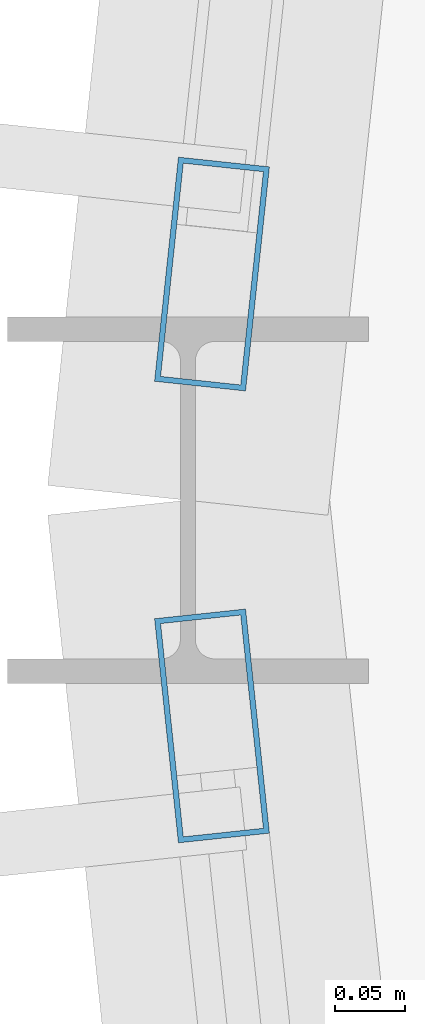
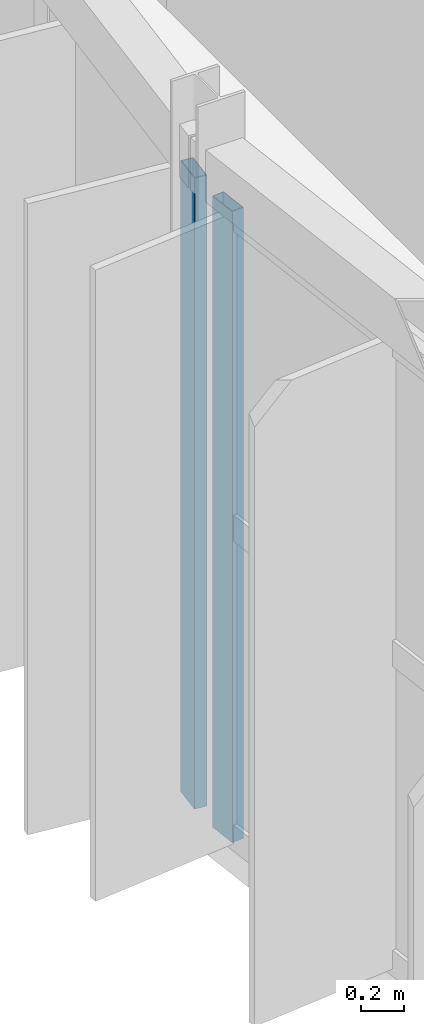
# One storey, part 35 of 130: 2 members, 2 elements without a shape of their own.
"""IFC4 building model written with IfcOpenShell, lengths in metres."""

import ifcopenshell
import ifcopenshell.guid

model = None  # the IFC model being written
_history = None  # IfcOwnerHistory: only IFC2X3 demands one
_inside = {}  # id of a spatial element -> (the spatial element, [elements in it])
_under = {}  # id of a project, library or spatial element -> (it, [spatial elements below it])
_declared = {}  # id of a project -> (the project, [libraries it declares])
_typed = {}  # id of a type object -> (the type object, [elements of that type])
_made_of = {}  # id of a material, layer set ... -> (it, [elements and type objects made of it])


def new_model(schema):
    """Start an empty IFC model of exactly this schema.

    Asked for "IFC4X3", IfcOpenShell would pick the latest addendum, in which some entities
    have other attributes; the version numbers below select the first issue.
    IFC2X3 requires an IfcOwnerHistory on every rooted entity: one is made here for all.
    """
    global model, _history
    if schema == "IFC4X3":
        model = ifcopenshell.file(schema_version=(4, 3, 0, 0))
    else:
        model = ifcopenshell.file(schema=schema)
    _inside.clear()
    _under.clear()
    _declared.clear()
    _typed.clear()
    _made_of.clear()
    _history = None
    if model.schema == "IFC2X3":
        org = make("IfcOrganization", Name="unknown")
        user = make(
            "IfcPersonAndOrganization",
            ThePerson=make("IfcPerson", FamilyName="unknown"),
            TheOrganization=org,
        )
        app = make(
            "IfcApplication",
            ApplicationDeveloper=org,
            Version="unknown",
            ApplicationFullName="unknown",
            ApplicationIdentifier="unknown",
        )
        _history = make(
            "IfcOwnerHistory",
            OwningUser=user,
            OwningApplication=app,
            ChangeAction="ADDED",
            CreationDate=0,
        )
    return model


def make(cls, **values):
    """One entity of the class cls with the attributes given. An attribute that is None is left unset."""
    return model.create_entity(
        cls, **{name: value for name, value in values.items() if value is not None}
    )


def rooted(cls, **values):
    """An entity with a GlobalId (a new one), such as an element, a storey or a relation."""
    return make(cls, GlobalId=ifcopenshell.guid.new(), OwnerHistory=_history, **values)


def si_unit(unit_type, name, prefix=None):
    """IfcSIUnit, for example si_unit("LENGTHUNIT", "METRE", prefix="MILLI")."""
    return make("IfcSIUnit", UnitType=unit_type, Prefix=prefix, Name=name)


def assignment(units):
    """IfcUnitAssignment: the units of a project."""
    return None if units is None else make("IfcUnitAssignment", Units=units)


def point(xyz):
    """IfcCartesianPoint."""
    return None if xyz is None else make("IfcCartesianPoint", Coordinates=xyz)


def direction(xyz):
    """IfcDirection."""
    return None if xyz is None else make("IfcDirection", DirectionRatios=xyz)


def frame(location, z_axis=None, x_axis=None):
    """IfcAxis2Placement3D, a coordinate frame: its origin and axes. An axis left out is left unset."""
    return make(
        "IfcAxis2Placement3D",
        Location=point(location),
        Axis=direction(z_axis),
        RefDirection=direction(x_axis),
    )


def frame_2d(location, x_axis=None):
    """IfcAxis2Placement2D, a coordinate frame in the plane: its origin and x axis."""
    return make(
        "IfcAxis2Placement2D", Location=point(location), RefDirection=direction(x_axis)
    )


def origin():
    """The frame at (0, 0, 0) with its axes left unset."""
    return frame((0.0, 0.0, 0.0))


def origin_2d():
    """The frame at (0, 0) in the plane with its x axis left unset."""
    return frame_2d((0.0, 0.0))


def place(relative_to, where):
    """IfcLocalPlacement: puts the frame where relative to a parent placement (None: the world)."""
    return make(
        "IfcLocalPlacement", PlacementRelTo=relative_to, RelativePlacement=where
    )


def context(
    kind, dimensions, precision=None, world=None, true_north=None, identifier=None
):
    """IfcGeometricRepresentationContext, for example the 3D "Model" context."""
    return make(
        "IfcGeometricRepresentationContext",
        ContextIdentifier=identifier,
        ContextType=kind,
        CoordinateSpaceDimension=dimensions,
        Precision=precision,
        WorldCoordinateSystem=world,
        TrueNorth=true_north,
    )


def subcontext(parent, identifier, kind, view, scale=None):
    """IfcGeometricRepresentationSubContext, for example "Body" below "Model"."""
    return make(
        "IfcGeometricRepresentationSubContext",
        ContextIdentifier=identifier,
        ContextType=kind,
        ParentContext=parent,
        TargetScale=scale,
        TargetView=view,
    )


def project(units=None, contexts=None):
    """IfcProject with its units and contexts."""
    return rooted(
        "IfcProject",
        Name="project",
        RepresentationContexts=contexts,
        UnitsInContext=assignment(units),
    )


def spatial(cls, under=None, at=None, **own):
    """A site, building, storey or space (cls), placed at a placement, below another one or the project."""
    s = rooted(cls, ObjectPlacement=at, **own)
    if under is not None:
        _under.setdefault(under.id(), (under, []))[1].append(s)
    return s


def profile(cls, at=None, kind="AREA", **sizes):
    """A parametric profile (cls). Its sizes go by their IFC names, for example OverallWidth=200.0."""
    return make(cls, ProfileType=kind, Position=at, **sizes)


def hollow_rectangle(**sizes):
    """IfcRectangleHollowProfileDef."""
    return profile("IfcRectangleHollowProfileDef", **sizes)


def extrude(swept, where, along, depth):
    """IfcExtrudedAreaSolid: the profile swept, set in the frame where, extruded along a direction by depth."""
    return make(
        "IfcExtrudedAreaSolid",
        SweptArea=swept,
        Position=where,
        ExtrudedDirection=direction(along),
        Depth=depth,
    )


def shape(context_of_items, identifier, shape_type, items):
    """IfcShapeRepresentation: the items that make up one representation, for example the "Body"."""
    return make(
        "IfcShapeRepresentation",
        ContextOfItems=context_of_items,
        RepresentationIdentifier=identifier,
        RepresentationType=shape_type,
        Items=items,
    )


def material(Name=None, Category=None):
    """IfcMaterial."""
    return make("IfcMaterial", Name=Name, Category=Category)


def material_profile(
    of_material, cross_section, Name=None, Category=None, Priority=None
):
    """IfcMaterialProfile: a cross section and its material."""
    return make(
        "IfcMaterialProfile",
        Name=Name,
        Material=of_material,
        Profile=cross_section,
        Priority=Priority,
        Category=Category,
    )


def profile_set(profiles, Name=None, composite=None):
    """IfcMaterialProfileSet."""
    return make(
        "IfcMaterialProfileSet",
        Name=Name,
        MaterialProfiles=profiles,
        CompositeProfile=composite,
    )


def made_of(thing, what):
    """Note that an element or type object is made of a material, layer set ...; save() writes the relation."""
    if what is not None:
        _made_of.setdefault(what.id(), (what, []))[1].append(thing)
    return thing


def type_object(cls, material=None, **own):
    """A type object (cls), such as IfcWallType, which elements share."""
    return made_of(rooted(cls, **own), material)


def element(
    cls,
    number,
    at=None,
    inside=None,
    cuts=None,
    type_object=None,
    material=None,
    context=None,
    identifier="Body",
    shape_type=None,
    held_by="IfcProductDefinitionShape",
    body=None,
    shapes=None,
    **own,
):
    """One element of the class cls, such as IfcWall. Its Tag is "e" and its number.

    at: its placement. inside: the storey or other place that contains it. cuts: it is an
    opening in that element (IfcRelVoidsElement). A single representation is given by context,
    identifier, shape_type and body (its items); several are given by shapes. held_by: the class
    of the entity that holds the representations. save() writes the other relations.
    """
    e = rooted(cls, Tag="e%d" % number, ObjectPlacement=at, **own)
    if body is not None:
        shapes = [shape(context, identifier, shape_type, body)]
    if shapes is not None:
        e.Representation = make(held_by, Representations=shapes)
    if inside is not None:
        _inside.setdefault(inside.id(), (inside, []))[1].append(e)
    if cuts is not None:
        rooted(
            "IfcRelVoidsElement", RelatingBuildingElement=cuts, RelatedOpeningElement=e
        )
    if type_object is not None:
        _typed.setdefault(type_object.id(), (type_object, []))[1].append(e)
    return made_of(e, material)


def aggregate(whole, parts):
    """IfcRelAggregates: a whole, such as a stair, and the parts it consists of."""
    return rooted("IfcRelAggregates", RelatingObject=whole, RelatedObjects=parts)


def save(model, path):
    """Write the relations noted so far, then the file.

    IfcRelAggregates (storeys below a building ...), IfcRelContainedInSpatialStructure (elements
    in a storey), IfcRelDefinesByType, IfcRelAssociatesMaterial and IfcRelDeclares: one each for
    every whole, place, type object, material and project.
    """
    for whole, parts in _under.values():
        aggregate(whole, parts)
    for where, things in _inside.values():
        rooted(
            "IfcRelContainedInSpatialStructure",
            RelatedElements=things,
            RelatingStructure=where,
        )
    for kind, things in _typed.values():
        rooted("IfcRelDefinesByType", RelatedObjects=things, RelatingType=kind)
    for what, things in _made_of.values():
        rooted("IfcRelAssociatesMaterial", RelatedObjects=things, RelatingMaterial=what)
    for by, libraries in _declared.values():
        rooted("IfcRelDeclares", RelatingContext=by, RelatedDefinitions=libraries)
    model.write(path)


model = new_model("IFC4")

# Units and contexts
model_context = context("Model", 3, precision=1e-05, world=origin(), true_north=direction((0.0, 1.0)))
body_context = subcontext(model_context, "Body", "Model", "MODEL_VIEW")
ifc_project = project(units=[si_unit("LENGTHUNIT", "METRE"), si_unit("AREAUNIT", "SQUARE_METRE"), si_unit("VOLUMEUNIT", "CUBIC_METRE"), si_unit("PLANEANGLEUNIT", "RADIAN"), si_unit("MASSUNIT", "GRAM", prefix="KILO")], contexts=[model_context])

# Site, building, storey
site_placement = place(None, origin())
site = spatial("IfcSite", under=ifc_project, at=site_placement, CompositionType="ELEMENT")
building_placement = place(site_placement, origin())
building = spatial("IfcBuilding", under=site, at=building_placement, Name="Karori Crest Natural Sciences Institute", CompositionType="ELEMENT")
storey_placement = place(building_placement, frame((0.0, 0.0, 17.5)))
storey = spatial("IfcBuildingStorey", under=building, at=storey_placement, Name="L04", CompositionType="ELEMENT", Elevation=17.5)

# Curtain wall, member
ifc_material = material(Name="Anodised architectural aluminium 6063-T6", Category="aluminium")
curtain_wall_type_1 = type_object("IfcCurtainWallType", Name="CWT-02", PredefinedType="NOTDEFINED", material=ifc_material)
curtain_wall_1_placement = place(storey_placement, origin())
curtain_wall_1 = element("IfcCurtainWall", 1, at=curtain_wall_1_placement, inside=storey, type_object=curtain_wall_type_1, Name="Curtain wall CW-0153", PredefinedType="NOTDEFINED")
ifc_material_profile = material_profile(ifc_material, hollow_rectangle(XDim=0.06494140625, YDim=0.159912109375, WallThickness=0.00390625, at=origin_2d()), Name="CWM160x65x4")
ifc_profile_set = profile_set([ifc_material_profile], Name="Anodised architectural aluminium 6063-T6")
member_type = type_object("IfcMemberType", Name="CWM-01", PredefinedType="MULLION", material=ifc_profile_set)
member_1_placement = place(storey_placement, frame((33.4169921875, 50.060302734375, 0.0), z_axis=(0.0, 0.0, 1.0), x_axis=(-0.994378309998, 0.105885677057, 0.0)))
member_1 = element("IfcMember", 2, at=member_1_placement, type_object=member_type, Name="CW-0153 mullion 1", PredefinedType="MULLION", context=body_context, shape_type="SweptSolid", body=[
    extrude(hollow_rectangle(XDim=0.06494140625, YDim=0.159912109375, WallThickness=0.00390625, at=origin_2d()), origin(), (0.0, 0.0, 1.0), 3.625),
])
aggregate(curtain_wall_1, [member_1])

curtain_wall_type_2 = type_object("IfcCurtainWallType", Name="CWT-03", PredefinedType="NOTDEFINED", material=ifc_material)
curtain_wall_2_placement = place(storey_placement, origin())
curtain_wall_2 = element("IfcCurtainWall", 3, at=curtain_wall_2_placement, inside=storey, type_object=curtain_wall_type_2, Name="Curtain wall CW-0154", PredefinedType="NOTDEFINED")
member_2_placement = place(storey_placement, frame((33.4169921875, 49.73974609375, 0.0), z_axis=(0.0, 0.0, 1.0), x_axis=(-0.994378435661, -0.105884496939, 0.0)))
member_2 = element("IfcMember", 4, at=member_2_placement, type_object=member_type, Name="CW-0154 mullion 7", PredefinedType="MULLION", context=body_context, shape_type="SweptSolid", body=[
    extrude(hollow_rectangle(XDim=0.06494140625, YDim=0.159912109375, WallThickness=0.00390625, at=origin_2d()), origin(), (0.0, 0.0, 1.0), 3.625),
])
aggregate(curtain_wall_2, [member_2])

save(model, "model.ifc")
